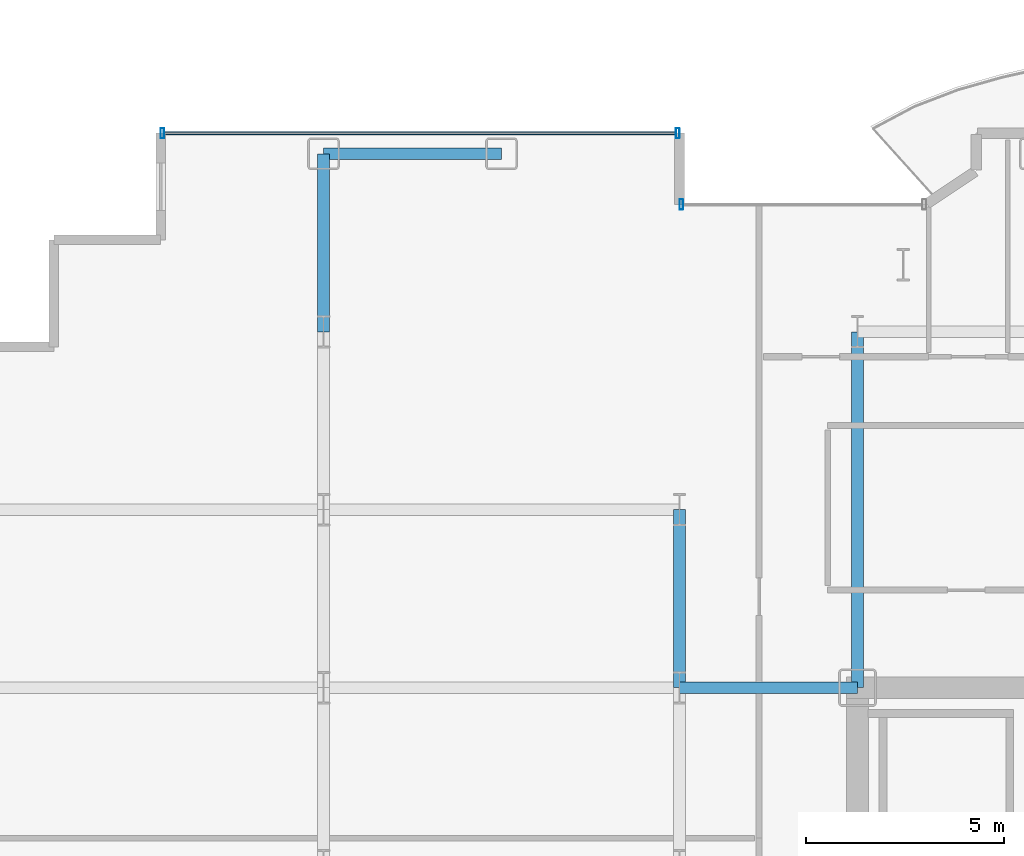
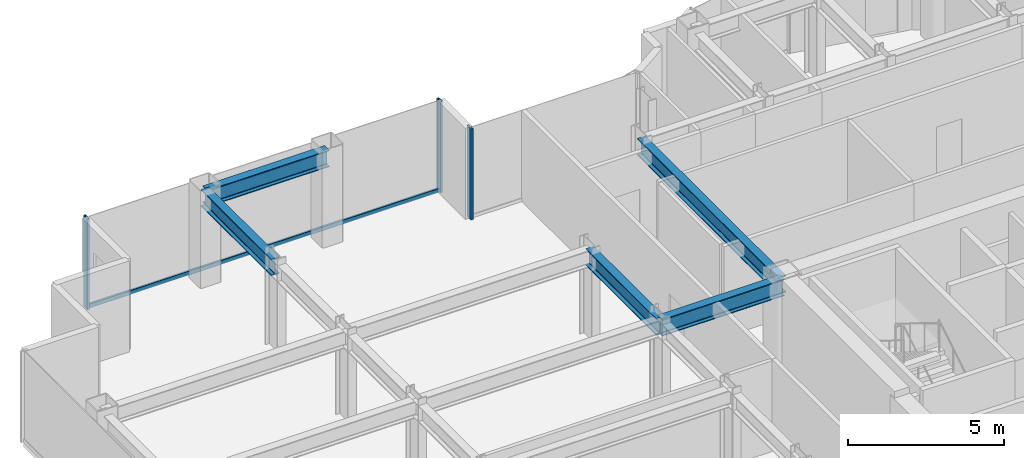
# One storey, part 13 of 27: 5 beams, 4 members, 2 elements without a shape of their own.
"""IFC4 building model written with IfcOpenShell, lengths in metres."""

from ifc_helpers import new_model, si_unit, direction, frame, origin, origin_2d, place, context, subcontext, project, spatial, hollow_rectangle, i_section, extrude, source, transform, mapped, material, layer, layer_set, material_profile, profile_set, type_object, element, aggregate, save


model = new_model("IFC4")

# Units and contexts
model_context = context("Model", 3, precision=1e-05, world=origin(), true_north=direction((0.0, 1.0)))
body_context = subcontext(model_context, "Body", "Model", "MODEL_VIEW")
ifc_project = project(units=[si_unit("LENGTHUNIT", "METRE"), si_unit("AREAUNIT", "SQUARE_METRE"), si_unit("VOLUMEUNIT", "CUBIC_METRE"), si_unit("PLANEANGLEUNIT", "RADIAN"), si_unit("MASSUNIT", "GRAM", prefix="KILO")], contexts=[model_context])

# Site, building, storey
site_placement = place(None, origin())
site = spatial("IfcSite", under=ifc_project, at=site_placement, CompositionType="ELEMENT")
building_placement = place(site_placement, origin())
building = spatial("IfcBuilding", under=site, at=building_placement, Name="Nefas-Gora Pilgrimage Tower", CompositionType="ELEMENT")
storey_placement = place(building_placement, frame((0.0, 0.0, 148.800048828125)))
storey = spatial("IfcBuildingStorey", under=building, at=storey_placement, Name="L36", CompositionType="ELEMENT", Elevation=148.800048828125)

# Beams
ifc_material_1 = material(Name="Steel S355", Category="steel")
ifc_material_profile_1 = material_profile(ifc_material_1, i_section(OverallWidth=0.300048828125, OverallDepth=0.64990234375, WebThickness=0.01611328125, FlangeThickness=0.031005859375, FilletRadius=0.027099609375, at=origin_2d()), Name="HEB 650")
ifc_profile_set_1 = profile_set([ifc_material_profile_1], Name="Steel S355")
beam_type_1 = type_object("IfcBeamType", Name="BM-SPN-HEB500", PredefinedType="SPANDREL", material=ifc_profile_set_1)
shared_shape_1 = source(origin(), body_context, "Body", "SweptSolid", [
    extrude(i_section(OverallWidth=0.300048828125, OverallDepth=0.64990234375, WebThickness=0.01611328125, FlangeThickness=0.031005859375, FilletRadius=0.027099609375, at=origin_2d()), origin(), (0.0, 0.0, 1.0), 4.5),
])
beam_1_placement = place(storey_placement, frame((-24.75, 22.5, 3.224853515625), z_axis=(1.0, 0.0, 0.0), x_axis=(0.0, 1.0, 0.0)))
element("IfcBeam", 1, at=beam_1_placement, inside=storey, type_object=beam_type_1, Name="L36 SP-02 beam", PredefinedType="SPANDREL", context=body_context, shape_type="MappedRepresentation", body=[
    mapped(shared_shape_1, transform((0.0, 0.0, 0.0), x_axis=(1.0, 0.0, 0.0), y_axis=(0.0, 1.0, 0.0), z_axis=(0.0, 0.0, 1.0), scale=1.0)),
])
ifc_material_profile_2 = material_profile(ifc_material_1, i_section(OverallWidth=0.300048828125, OverallDepth=0.64990234375, WebThickness=0.01611328125, FlangeThickness=0.031005859375, FilletRadius=0.027099609375, at=origin_2d()), Name="HEB 650")
ifc_profile_set_2 = profile_set([ifc_material_profile_2], Name="Steel S355")
beam_type_2 = type_object("IfcBeamType", Name="BM-GIR-HEB650", PredefinedType="BEAM", material=ifc_profile_set_2)
shared_shape_2 = source(origin(), body_context, "Body", "SweptSolid", [
    extrude(i_section(OverallWidth=0.300048828125, OverallDepth=0.64990234375, WebThickness=0.01611328125, FlangeThickness=0.031005859375, FilletRadius=0.027099609375, at=origin_2d()), origin(), (0.0, 0.0, 1.0), 9.0),
])
beam_2_placement = place(storey_placement, frame((-11.25, 9.0, 3.224853515625), z_axis=(0.0, 1.0, 0.0), x_axis=(-1.0, 0.0, 0.0)))
element("IfcBeam", 2, at=beam_2_placement, inside=storey, type_object=beam_type_2, Name="L36 G-03 beam", PredefinedType="BEAM", context=body_context, shape_type="MappedRepresentation", body=[
    mapped(shared_shape_2, transform((0.0, 0.0, 0.0), x_axis=(1.0, 0.0, 0.0), y_axis=(0.0, 1.0, 0.0), z_axis=(0.0, 0.0, 1.0), scale=1.0)),
])
shared_shape_3 = source(origin(), body_context, "Body", "SweptSolid", [
    extrude(i_section(OverallWidth=0.300048828125, OverallDepth=0.64990234375, WebThickness=0.01611328125, FlangeThickness=0.031005859375, FilletRadius=0.027099609375, at=origin_2d()), origin(), (0.0, 0.0, 1.0), 4.5),
])
for number, where, z_axis, x_axis, name in (
    (3, (-24.75, 18.0, 3.224853515625), (0.0, 1.0, 0.0), (-1.0, 0.0, 0.0), "L36 G-03 beam"),
    (4, (-15.75, 9.0, 3.224853515625), (0.0, 1.0, 0.0), (-1.0, 0.0, 0.0), "L36 G-03 beam"),
    (5, (-15.75, 9.0, 3.224853515625), (1.0, 0.0, 0.0), (0.0, 1.0, 0.0), "L36 G-03 beam"),
):
    element("IfcBeam", number, at=place(storey_placement, frame(where, z_axis=z_axis, x_axis=x_axis)), inside=storey, type_object=beam_type_2, Name=name, PredefinedType="BEAM", context=body_context, shape_type="MappedRepresentation", body=[
        mapped(shared_shape_3, transform((0.0, 0.0, 0.0), x_axis=(1.0, 0.0, 0.0), y_axis=(0.0, 1.0, 0.0), z_axis=(0.0, 0.0, 1.0), scale=1.0)),
    ])

# Curtain wall, member
ifc_material_2 = material(Name="Dark ceramic-fritted solar-control aluminium-glass curtain wall", Category="aluminium")
ifc_layer_1 = layer(ifc_material_2, 0.219970703125)
ifc_layer_set_1 = layer_set([ifc_layer_1], Name="Dark ceramic-fritted solar-control aluminium-glass curtain wall")
curtain_wall_type_1 = type_object("IfcCurtainWallType", Name="CW-SYS-5", PredefinedType="NOTDEFINED", material=ifc_layer_set_1)
curtain_wall_1_placement = place(storey_placement, origin())
curtain_wall_1 = element("IfcCurtainWall", 6, at=curtain_wall_1_placement, inside=storey, type_object=curtain_wall_type_1, Name="L36 Unitised Curtain Wall CW5", PredefinedType="NOTDEFINED")
ifc_material_3 = material(Name="Anodised architectural aluminium", Category="aluminium")
ifc_material_profile_3 = material_profile(ifc_material_3, hollow_rectangle(XDim=0.090087890625, YDim=0.260009765625, WallThickness=0.006103515625, InnerFilletRadius=0.006103515625, OuterFilletRadius=0.011962890625, at=origin_2d()), Name="ALU MULLION 90x260")
ifc_profile_set_3 = profile_set([ifc_material_profile_3], Name="Anodised architectural aluminium")
member_type_1 = type_object("IfcMemberType", Name="CWM-MUL-5", PredefinedType="MULLION", material=ifc_profile_set_3)
shared_shape_4 = source(origin(), body_context, "Body", "SweptSolid", [
    extrude(hollow_rectangle(XDim=0.090087890625, YDim=0.260009765625, WallThickness=0.006103515625, InnerFilletRadius=0.006103515625, OuterFilletRadius=0.011962890625, at=origin_2d()), origin(), (0.0, 0.0, 1.0), 3.550048828125),
])
member_1_placement = place(storey_placement, frame((-15.705078125, 21.219970703125, 0.0), z_axis=(0.0, 0.0, 1.0), x_axis=(-1.0, 0.0, 0.0)))
member_1 = element("IfcMember", 7, at=member_1_placement, type_object=member_type_1, Name="CW5 Mullion 2", PredefinedType="MULLION", context=body_context, shape_type="MappedRepresentation", body=[
    mapped(shared_shape_4, transform((0.0, 0.0, 0.0), x_axis=(1.0, 0.0, 0.0), y_axis=(0.0, 1.0, 0.0), z_axis=(0.0, 0.0, 1.0), scale=1.0)),
])
aggregate(curtain_wall_1, [member_1])

# Curtain wall, members
ifc_layer_2 = layer(ifc_material_2, 0.219970703125)
ifc_layer_set_2 = layer_set([ifc_layer_2], Name="Dark ceramic-fritted solar-control aluminium-glass curtain wall")
curtain_wall_type_2 = type_object("IfcCurtainWallType", Name="CW-SYS-3", PredefinedType="NOTDEFINED", material=ifc_layer_set_2)
curtain_wall_2_placement = place(storey_placement, origin())
curtain_wall_2 = element("IfcCurtainWall", 8, at=curtain_wall_2_placement, inside=storey, type_object=curtain_wall_type_2, Name="L36 Unitised Curtain Wall CW3", PredefinedType="NOTDEFINED")
ifc_material_profile_4 = material_profile(ifc_material_3, hollow_rectangle(XDim=0.090087890625, YDim=0.260009765625, WallThickness=0.006103515625, InnerFilletRadius=0.006103515625, OuterFilletRadius=0.011962890625, at=origin_2d()), Name="ALU MULLION 90x260")
ifc_profile_set_4 = profile_set([ifc_material_profile_4], Name="Anodised architectural aluminium")
member_type_2 = type_object("IfcMemberType", Name="CWM-MUL-3", PredefinedType="MULLION", material=ifc_profile_set_4)
shared_shape_5 = source(origin(), body_context, "Body", "SweptSolid", [
    extrude(hollow_rectangle(XDim=0.090087890625, YDim=0.260009765625, WallThickness=0.006103515625, InnerFilletRadius=0.006103515625, OuterFilletRadius=0.011962890625, at=origin_2d()), origin(), (0.0, 0.0, 1.0), 3.550048828125),
])
member_2_placement = place(storey_placement, frame((-15.794921875, 23.02001953125, 0.0), z_axis=(0.0, 0.0, 1.0), x_axis=(-1.0, 0.0, 0.0)))
member_2 = element("IfcMember", 9, at=member_2_placement, type_object=member_type_2, Name="CW3 Mullion 1", PredefinedType="MULLION", context=body_context, shape_type="MappedRepresentation", body=[
    mapped(shared_shape_5, transform((0.0, 0.0, 0.0), x_axis=(1.0, 0.0, 0.0), y_axis=(0.0, 1.0, 0.0), z_axis=(0.0, 0.0, 1.0), scale=1.0)),
])
member_3_placement = place(storey_placement, frame((-28.824951171875, 23.02001953125, 0.0), z_axis=(0.0, 0.0, 1.0), x_axis=(-1.0, 0.0, 0.0)))
member_3 = element("IfcMember", 10, at=member_3_placement, type_object=member_type_2, Name="CW3 Mullion 2", PredefinedType="MULLION", context=body_context, shape_type="MappedRepresentation", body=[
    mapped(shared_shape_5, transform((0.0, 0.0, 0.0), x_axis=(1.0, 0.0, 0.0), y_axis=(0.0, 1.0, 0.0), z_axis=(0.0, 0.0, 1.0), scale=1.0)),
])
ifc_material_profile_5 = material_profile(ifc_material_3, hollow_rectangle(XDim=0.080078125, YDim=0.159912109375, WallThickness=0.00439453125, InnerFilletRadius=0.00439453125, OuterFilletRadius=0.009033203125, at=origin_2d()), Name="ALU TRANSOM 80x160")
ifc_profile_set_5 = profile_set([ifc_material_profile_5], Name="Anodised architectural aluminium")
member_type_3 = type_object("IfcMemberType", Name="CWM-TRN-3", PredefinedType="USERDEFINED", material=ifc_profile_set_5)
shared_shape_6 = source(origin(), body_context, "Body", "SweptSolid", [
    extrude(hollow_rectangle(XDim=0.080078125, YDim=0.159912109375, WallThickness=0.00439453125, InnerFilletRadius=0.00439453125, OuterFilletRadius=0.009033203125, at=origin_2d()), origin(), (0.0, 0.0, 1.0), 12.93994140625),
])
member_4_placement = place(storey_placement, frame((-15.840087890625, 23.02001953125, 0.050048828125), z_axis=(-1.0, 0.0, 0.0), x_axis=(0.0, -1.0, 0.0)))
member_4 = element("IfcMember", 11, at=member_4_placement, type_object=member_type_3, Name="CW3 Spandrel Transom", ObjectType="TRANSOM", PredefinedType="USERDEFINED", context=body_context, shape_type="MappedRepresentation", body=[
    mapped(shared_shape_6, transform((0.0, 0.0, 0.0), x_axis=(1.0, 0.0, 0.0), y_axis=(0.0, 1.0, 0.0), z_axis=(0.0, 0.0, 1.0), scale=1.0)),
])
aggregate(curtain_wall_2, [member_2, member_3, member_4])

save(model, "model.ifc")
